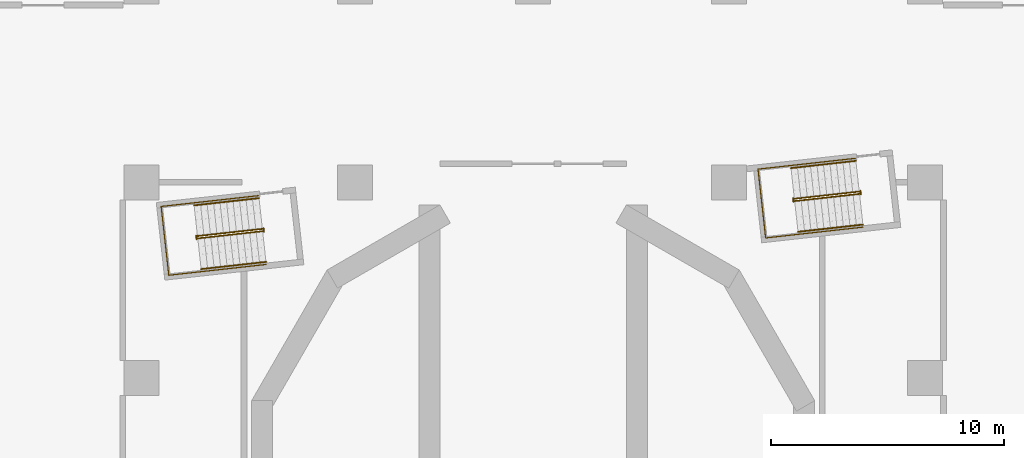
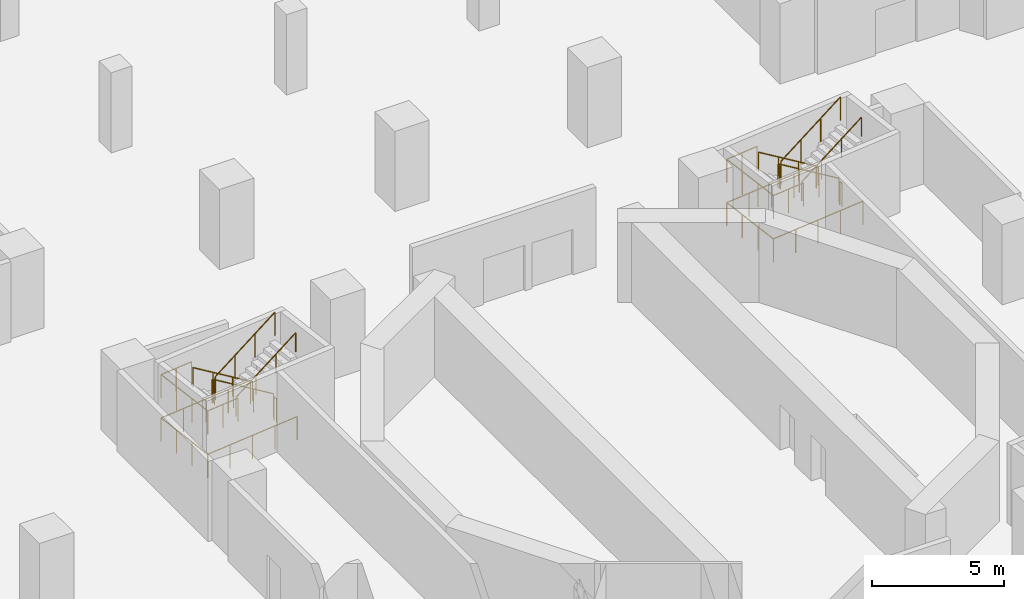
# One storey, part 15 of 18: 14 railings.
"""IFC4 building model written with IfcOpenShell, lengths in metres."""

from ifc_helpers import new_model, si_unit, direction, frame, origin, origin_2d, place, context, subcontext, project, spatial, circle, extrude, material, type_object, element, save


model = new_model("IFC4")

# Units and contexts
model_context = context("Model", 3, precision=1e-05, world=origin(), true_north=direction((0.0, 1.0)))
body_context = subcontext(model_context, "Body", "Model", "MODEL_VIEW")
ifc_project = project(units=[si_unit("LENGTHUNIT", "METRE"), si_unit("AREAUNIT", "SQUARE_METRE"), si_unit("VOLUMEUNIT", "CUBIC_METRE"), si_unit("PLANEANGLEUNIT", "RADIAN"), si_unit("MASSUNIT", "GRAM", prefix="KILO")], contexts=[model_context])

# Site, building, storey
site_placement = place(None, origin())
site = spatial("IfcSite", under=ifc_project, at=site_placement, CompositionType="ELEMENT")
building_placement = place(site_placement, origin())
building = spatial("IfcBuilding", under=site, at=building_placement, Name="Cantera Rosa Tower", CompositionType="ELEMENT")
storey_placement = place(building_placement, frame((0.0, 0.0, -9.0)))
storey = spatial("IfcBuildingStorey", under=building, at=storey_placement, Name="B2", CompositionType="ELEMENT", Elevation=-9.0)

# Railings
ifc_material_1 = material(Name="Steel S355J2 (EN 10025-2)", Category="steel")
railing_type_1 = type_object("IfcRailingType", Name="STAIR GUARD 1100", PredefinedType="GUARDRAIL", material=ifc_material_1)
railing_1_placement = place(storey_placement, frame((13.986083984375, 12.203125, 0.181884765625)))
element("IfcRailing", 1, at=railing_1_placement, inside=storey, type_object=railing_type_1, Name="B2 ST-11 stair guard 1", PredefinedType="GUARDRAIL", context=body_context, shape_type="SweptSolid", body=[
    extrude(circle(Radius=0.02392578125, at=origin_2d()), frame((0.0, 0.0, 1.076171875), z_axis=(-0.833588056777, -0.09250714026, 0.544585512661), x_axis=(0.110297547524, -0.993898612038, 0.0)), (0.0, 0.0, 1.0), 3.338623046875),
    extrude(circle(Radius=0.02392578125, at=origin_2d()), frame((-2.782958984375, -0.308837890625, 2.89404296875), z_axis=(-0.932897555956, 0.360141847183, 0.0), x_axis=(-0.360141847183, -0.932897555956, 0.0)), (0.0, 0.0, 1.0), 0.05615234375),
    extrude(circle(Radius=0.02392578125, at=origin_2d()), frame((-2.83544921875, -0.28857421875, 2.89404296875), z_axis=(0.110789159685, -0.993843932464, 0.0), x_axis=(0.993843932464, 0.110789159685, 0.0)), (0.0, 0.0, 1.0), 0.14990234375),
    extrude(circle(Radius=0.02099609375, at=origin_2d()), origin(), (0.0, 0.0, 1.0), 1.052001953125),
    extrude(circle(Radius=0.02099609375, at=origin_2d()), frame((-0.927734375, -0.10302734375, 0.60595703125)), (0.0, 0.0, 1.0), 1.052001953125),
    extrude(circle(Radius=0.02099609375, at=origin_2d()), frame((-1.855224609375, -0.205810546875, 1.212158203125)), (0.0, 0.0, 1.0), 1.052001953125),
    extrude(circle(Radius=0.02099609375, at=origin_2d()), frame((-2.782958984375, -0.308837890625, 1.818115234375)), (0.0, 0.0, 1.0), 1.052001953125),
    extrude(circle(Radius=0.02099609375, at=origin_2d()), frame((-2.83544921875, -0.28857421875, 1.818115234375)), (0.0, 0.0, 1.0), 1.052001953125),
    extrude(circle(Radius=0.02099609375, at=origin_2d()), frame((-2.81884765625, -0.4375, 1.818115234375)), (0.0, 0.0, 1.0), 1.052001953125),
])
railing_2_placement = place(storey_placement, frame((11.2138671875, 11.796875, 2.181884765625)))
element("IfcRailing", 2, at=railing_2_placement, inside=storey, type_object=railing_type_1, Name="B2 ST-11 stair guard 2", PredefinedType="GUARDRAIL", context=body_context, shape_type="SweptSolid", body=[
    extrude(circle(Radius=0.02392578125, at=origin_2d()), frame((0.0, 0.0, 1.076171875), z_axis=(0.833588056777, 0.09250714026, 0.544585512661), x_axis=(-0.110297547524, 0.993898612038, 0.0)), (0.0, 0.0, 1.0), 3.338623046875),
    extrude(circle(Radius=0.02099609375, at=origin_2d()), origin(), (0.0, 0.0, 1.0), 1.052001953125),
    extrude(circle(Radius=0.02099609375, at=origin_2d()), frame((0.927734375, 0.10302734375, 0.60595703125)), (0.0, 0.0, 1.0), 1.052001953125),
    extrude(circle(Radius=0.02099609375, at=origin_2d()), frame((1.855224609375, 0.205810546875, 1.212158203125)), (0.0, 0.0, 1.0), 1.052001953125),
    extrude(circle(Radius=0.02099609375, at=origin_2d()), frame((2.782958984375, 0.308837890625, 1.818115234375)), (0.0, 0.0, 1.0), 1.052001953125),
])
railing_3_placement = place(storey_placement, frame((14.032958984375, 12.234375, 0.0)))
element("IfcRailing", 3, at=railing_3_placement, inside=storey, type_object=railing_type_1, Name="B2 ST-11 stair guard 3", PredefinedType="GUARDRAIL", context=body_context, shape_type="SweptSolid", body=[
    extrude(circle(Radius=0.02392578125, at=origin_2d()), frame((0.0, 0.0, 1.076171875), z_axis=(0.109179471459, -0.994022053584, 0.0), x_axis=(0.994022053584, 0.109179471459, 0.0)), (0.0, 0.0, 1.0), 0.14990234375),
    extrude(circle(Radius=0.02099609375, at=origin_2d()), origin(), (0.0, 0.0, 1.0), 1.052001953125),
    extrude(circle(Radius=0.02099609375, at=origin_2d()), frame((0.016357421875, -0.14892578125, 0.0)), (0.0, 0.0, 1.0), 1.052001953125),
])
railing_4_placement = place(storey_placement, frame((13.815673828125, 13.629150390625, 0.0)))
element("IfcRailing", 4, at=railing_4_placement, inside=storey, type_object=railing_type_1, Name="B2 ST-11 stair guard 4", PredefinedType="GUARDRAIL", context=body_context, shape_type="SweptSolid", body=[
    extrude(circle(Radius=0.02392578125, at=origin_2d()), frame((0.0, 0.0, 1.076171875), z_axis=(-0.9938957856, -0.110323013767, 0.0), x_axis=(0.110323013767, -0.9938957856, 0.0)), (0.0, 0.0, 1.0), 4.197998046875),
    extrude(circle(Radius=0.02392578125, at=origin_2d()), frame((-4.17236328125, -0.463134765625, 1.076171875), z_axis=(0.110314237986, -0.993896759678, 0.0), x_axis=(0.993896759678, 0.110314237986, 0.0)), (0.0, 0.0, 1.0), 2.969970703125),
    extrude(circle(Radius=0.02392578125, at=origin_2d()), frame((-3.8447265625, -3.4150390625, 1.076171875), z_axis=(0.9938957856, 0.110323013767, 0.0), x_axis=(-0.110323013767, 0.9938957856, 0.0)), (0.0, 0.0, 1.0), 4.197998046875),
    extrude(circle(Radius=0.02099609375, at=origin_2d()), origin(), (0.0, 0.0, 1.0), 1.052001953125),
    extrude(circle(Radius=0.02099609375, at=origin_2d()), frame((-1.04296875, -0.11572265625, 0.0)), (0.0, 0.0, 1.0), 1.052001953125),
    extrude(circle(Radius=0.02099609375, at=origin_2d()), frame((-2.086181640625, -0.2314453125, 0.0)), (0.0, 0.0, 1.0), 1.052001953125),
    extrude(circle(Radius=0.02099609375, at=origin_2d()), frame((-3.12939453125, -0.347412109375, 0.0)), (0.0, 0.0, 1.0), 1.052001953125),
    extrude(circle(Radius=0.02099609375, at=origin_2d()), frame((-4.17236328125, -0.463134765625, 0.0)), (0.0, 0.0, 1.0), 1.052001953125),
    extrude(circle(Radius=0.02099609375, at=origin_2d()), frame((-4.063232421875, -1.447021484375, 0.0)), (0.0, 0.0, 1.0), 1.052001953125),
    extrude(circle(Radius=0.02099609375, at=origin_2d()), frame((-3.953857421875, -2.43115234375, 0.0)), (0.0, 0.0, 1.0), 1.052001953125),
    extrude(circle(Radius=0.02099609375, at=origin_2d()), frame((-3.8447265625, -3.4150390625, 0.0)), (0.0, 0.0, 1.0), 1.052001953125),
    extrude(circle(Radius=0.02099609375, at=origin_2d()), frame((-2.8017578125, -3.29931640625, 0.0)), (0.0, 0.0, 1.0), 1.052001953125),
    extrude(circle(Radius=0.02099609375, at=origin_2d()), frame((-1.758544921875, -3.18359375, 0.0)), (0.0, 0.0, 1.0), 1.052001953125),
    extrude(circle(Radius=0.02099609375, at=origin_2d()), frame((-0.71533203125, -3.067626953125, 0.0)), (0.0, 0.0, 1.0), 1.052001953125),
    extrude(circle(Radius=0.02099609375, at=origin_2d()), frame((0.32763671875, -2.951904296875, 0.0)), (0.0, 0.0, 1.0), 1.052001953125),
])
railing_5_placement = place(storey_placement, frame((11.056640625, 13.32275390625, 2.0)))
element("IfcRailing", 5, at=railing_5_placement, inside=storey, type_object=railing_type_1, Name="B2 ST-11 stair guard 5", PredefinedType="GUARDRAIL", context=body_context, shape_type="SweptSolid", body=[
    extrude(circle(Radius=0.02392578125, at=origin_2d()), frame((0.0, 0.0, 1.076171875), z_axis=(-0.993906744489, -0.110224240795, 0.0), x_axis=(0.110224240795, -0.993906744489, 0.0)), (0.0, 0.0, 1.0), 1.421875),
    extrude(circle(Radius=0.02392578125, at=origin_2d()), frame((-1.413330078125, -0.15673828125, 1.076171875), z_axis=(0.110314237986, -0.993896759678, 0.0), x_axis=(0.993896759678, 0.110314237986, 0.0)), (0.0, 0.0, 1.0), 2.969970703125),
    extrude(circle(Radius=0.02392578125, at=origin_2d()), frame((-1.085693359375, -3.108642578125, 1.076171875), z_axis=(0.993906744489, 0.110224240795, 0.0), x_axis=(-0.110224240795, 0.993906744489, 0.0)), (0.0, 0.0, 1.0), 1.421875),
    extrude(circle(Radius=0.02099609375, at=origin_2d()), origin(), (0.0, 0.0, 1.0), 1.052001953125),
    extrude(circle(Radius=0.02099609375, at=origin_2d()), frame((-0.70654296875, -0.078369140625, 0.0)), (0.0, 0.0, 1.0), 1.052001953125),
    extrude(circle(Radius=0.02099609375, at=origin_2d()), frame((-1.413330078125, -0.15673828125, 0.0)), (0.0, 0.0, 1.0), 1.052001953125),
    extrude(circle(Radius=0.02099609375, at=origin_2d()), frame((-1.30419921875, -1.140625, 0.0)), (0.0, 0.0, 1.0), 1.052001953125),
    extrude(circle(Radius=0.02099609375, at=origin_2d()), frame((-1.19482421875, -2.124755859375, 0.0)), (0.0, 0.0, 1.0), 1.052001953125),
    extrude(circle(Radius=0.02099609375, at=origin_2d()), frame((-1.085693359375, -3.108642578125, 0.0)), (0.0, 0.0, 1.0), 1.052001953125),
    extrude(circle(Radius=0.02099609375, at=origin_2d()), frame((-0.37890625, -3.0302734375, 0.0)), (0.0, 0.0, 1.0), 1.052001953125),
    extrude(circle(Radius=0.02099609375, at=origin_2d()), frame((0.32763671875, -2.951904296875, 0.0)), (0.0, 0.0, 1.0), 1.052001953125),
])
railing_6_placement = place(storey_placement, frame((-11.614013671875, 10.60302734375, 0.181884765625)))
element("IfcRailing", 6, at=railing_6_placement, inside=storey, type_object=railing_type_1, Name="B2 ST-12 stair guard 1", PredefinedType="GUARDRAIL", context=body_context, shape_type="SweptSolid", body=[
    extrude(circle(Radius=0.02392578125, at=origin_2d()), frame((0.0, 0.0, 1.076171875), z_axis=(-0.833588056777, -0.09250714026, 0.544585512661), x_axis=(0.110297547524, -0.993898612038, 0.0)), (0.0, 0.0, 1.0), 3.338623046875),
    extrude(circle(Radius=0.02392578125, at=origin_2d()), frame((-2.782958984375, -0.308837890625, 2.89404296875), z_axis=(-0.931434406233, 0.363909256389, 0.0), x_axis=(-0.363909256389, -0.931434406233, 0.0)), (0.0, 0.0, 1.0), 0.056396484375),
    extrude(circle(Radius=0.02392578125, at=origin_2d()), frame((-2.83544921875, -0.288330078125, 2.89404296875), z_axis=(0.110610055588, -0.993863881828, 0.0), x_axis=(0.993863881828, 0.110610055588, 0.0)), (0.0, 0.0, 1.0), 0.150146484375),
    extrude(circle(Radius=0.02099609375, at=origin_2d()), origin(), (0.0, 0.0, 1.0), 1.052001953125),
    extrude(circle(Radius=0.02099609375, at=origin_2d()), frame((-0.927734375, -0.10302734375, 0.60595703125)), (0.0, 0.0, 1.0), 1.052001953125),
    extrude(circle(Radius=0.02099609375, at=origin_2d()), frame((-1.855224609375, -0.205810546875, 1.212158203125)), (0.0, 0.0, 1.0), 1.052001953125),
    extrude(circle(Radius=0.02099609375, at=origin_2d()), frame((-2.782958984375, -0.308837890625, 1.818115234375)), (0.0, 0.0, 1.0), 1.052001953125),
    extrude(circle(Radius=0.02099609375, at=origin_2d()), frame((-2.83544921875, -0.288330078125, 1.818115234375)), (0.0, 0.0, 1.0), 1.052001953125),
    extrude(circle(Radius=0.02099609375, at=origin_2d()), frame((-2.81884765625, -0.4375, 1.818115234375)), (0.0, 0.0, 1.0), 1.052001953125),
])
railing_7_placement = place(storey_placement, frame((-14.385986328125, 10.19677734375, 2.181884765625)))
element("IfcRailing", 7, at=railing_7_placement, inside=storey, type_object=railing_type_1, Name="B2 ST-12 stair guard 2", PredefinedType="GUARDRAIL", context=body_context, shape_type="SweptSolid", body=[
    extrude(circle(Radius=0.02392578125, at=origin_2d()), frame((0.0, 0.0, 1.076171875), z_axis=(0.833588056777, 0.09250714026, 0.544585512661), x_axis=(-0.110297547524, 0.993898612038, 0.0)), (0.0, 0.0, 1.0), 3.338623046875),
    extrude(circle(Radius=0.02099609375, at=origin_2d()), origin(), (0.0, 0.0, 1.0), 1.052001953125),
    extrude(circle(Radius=0.02099609375, at=origin_2d()), frame((0.927734375, 0.10302734375, 0.60595703125)), (0.0, 0.0, 1.0), 1.052001953125),
    extrude(circle(Radius=0.02099609375, at=origin_2d()), frame((1.855224609375, 0.205810546875, 1.212158203125)), (0.0, 0.0, 1.0), 1.052001953125),
    extrude(circle(Radius=0.02099609375, at=origin_2d()), frame((2.782958984375, 0.308837890625, 1.818115234375)), (0.0, 0.0, 1.0), 1.052001953125),
])
railing_8_placement = place(storey_placement, frame((-11.567138671875, 10.634521484375, 0.0)))
element("IfcRailing", 8, at=railing_8_placement, inside=storey, type_object=railing_type_1, Name="B2 ST-12 stair guard 3", PredefinedType="GUARDRAIL", context=body_context, shape_type="SweptSolid", body=[
    extrude(circle(Radius=0.02392578125, at=origin_2d()), frame((0.0, 0.0, 1.076171875), z_axis=(0.110610055588, -0.993863881828, 0.0), x_axis=(0.993863881828, 0.110610055588, 0.0)), (0.0, 0.0, 1.0), 0.150146484375),
    extrude(circle(Radius=0.02099609375, at=origin_2d()), origin(), (0.0, 0.0, 1.0), 1.052001953125),
    extrude(circle(Radius=0.02099609375, at=origin_2d()), frame((0.0166015625, -0.149169921875, 0.0)), (0.0, 0.0, 1.0), 1.052001953125),
])
railing_9_placement = place(storey_placement, frame((-11.7841796875, 12.029052734375, 0.0)))
element("IfcRailing", 9, at=railing_9_placement, inside=storey, type_object=railing_type_1, Name="B2 ST-12 stair guard 4", PredefinedType="GUARDRAIL", context=body_context, shape_type="SweptSolid", body=[
    extrude(circle(Radius=0.02392578125, at=origin_2d()), frame((0.0, 0.0, 1.076171875), z_axis=(-0.9938957856, -0.110323013767, 0.0), x_axis=(0.110323013767, -0.9938957856, 0.0)), (0.0, 0.0, 1.0), 4.197998046875),
    extrude(circle(Radius=0.02392578125, at=origin_2d()), frame((-4.17236328125, -0.463134765625, 1.076171875), z_axis=(0.11023303584, -0.99390576908, 0.0), x_axis=(0.99390576908, 0.11023303584, 0.0)), (0.0, 0.0, 1.0), 2.969970703125),
    extrude(circle(Radius=0.02392578125, at=origin_2d()), frame((-3.844970703125, -3.4150390625, 1.076171875), z_axis=(0.993896493372, 0.11031663729, 0.0), x_axis=(-0.11031663729, 0.993896493372, 0.0)), (0.0, 0.0, 1.0), 4.1982421875),
    extrude(circle(Radius=0.02099609375, at=origin_2d()), origin(), (0.0, 0.0, 1.0), 1.052001953125),
    extrude(circle(Radius=0.02099609375, at=origin_2d()), frame((-1.04296875, -0.11572265625, 0.0)), (0.0, 0.0, 1.0), 1.052001953125),
    extrude(circle(Radius=0.02099609375, at=origin_2d()), frame((-2.086181640625, -0.2314453125, 0.0)), (0.0, 0.0, 1.0), 1.052001953125),
    extrude(circle(Radius=0.02099609375, at=origin_2d()), frame((-3.12939453125, -0.347412109375, 0.0)), (0.0, 0.0, 1.0), 1.052001953125),
    extrude(circle(Radius=0.02099609375, at=origin_2d()), frame((-4.17236328125, -0.463134765625, 0.0)), (0.0, 0.0, 1.0), 1.052001953125),
    extrude(circle(Radius=0.02099609375, at=origin_2d()), frame((-4.063232421875, -1.447021484375, 0.0)), (0.0, 0.0, 1.0), 1.052001953125),
    extrude(circle(Radius=0.02099609375, at=origin_2d()), frame((-3.9541015625, -2.43115234375, 0.0)), (0.0, 0.0, 1.0), 1.052001953125),
    extrude(circle(Radius=0.02099609375, at=origin_2d()), frame((-3.844970703125, -3.4150390625, 0.0)), (0.0, 0.0, 1.0), 1.052001953125),
    extrude(circle(Radius=0.02099609375, at=origin_2d()), frame((-2.8017578125, -3.29931640625, 0.0)), (0.0, 0.0, 1.0), 1.052001953125),
    extrude(circle(Radius=0.02099609375, at=origin_2d()), frame((-1.7587890625, -3.18359375, 0.0)), (0.0, 0.0, 1.0), 1.052001953125),
    extrude(circle(Radius=0.02099609375, at=origin_2d()), frame((-0.715576171875, -3.067626953125, 0.0)), (0.0, 0.0, 1.0), 1.052001953125),
    extrude(circle(Radius=0.02099609375, at=origin_2d()), frame((0.32763671875, -2.951904296875, 0.0)), (0.0, 0.0, 1.0), 1.052001953125),
])
railing_10_placement = place(storey_placement, frame((-14.54345703125, 11.722900390625, 2.0)))
element("IfcRailing", 10, at=railing_10_placement, inside=storey, type_object=railing_type_1, Name="B2 ST-12 stair guard 5", PredefinedType="GUARDRAIL", context=body_context, shape_type="SweptSolid", body=[
    extrude(circle(Radius=0.02392578125, at=origin_2d()), frame((0.0, 0.0, 1.076171875), z_axis=(-0.993885828579, -0.110412679298, 0.0), x_axis=(0.110412679298, -0.993885828579, 0.0)), (0.0, 0.0, 1.0), 1.421875),
    extrude(circle(Radius=0.02392578125, at=origin_2d()), frame((-1.4130859375, -0.156982421875, 1.076171875), z_axis=(0.11023303584, -0.99390576908, 0.0), x_axis=(0.99390576908, 0.11023303584, 0.0)), (0.0, 0.0, 1.0), 2.969970703125),
    extrude(circle(Radius=0.02392578125, at=origin_2d()), frame((-1.085693359375, -3.10888671875, 1.076171875), z_axis=(0.993887921413, 0.110393838913, 0.0), x_axis=(-0.110393838913, 0.993887921413, 0.0)), (0.0, 0.0, 1.0), 1.422119140625),
    extrude(circle(Radius=0.02099609375, at=origin_2d()), origin(), (0.0, 0.0, 1.0), 1.052001953125),
    extrude(circle(Radius=0.02099609375, at=origin_2d()), frame((-0.70654296875, -0.07861328125, 0.0)), (0.0, 0.0, 1.0), 1.052001953125),
    extrude(circle(Radius=0.02099609375, at=origin_2d()), frame((-1.4130859375, -0.156982421875, 0.0)), (0.0, 0.0, 1.0), 1.052001953125),
    extrude(circle(Radius=0.02099609375, at=origin_2d()), frame((-1.303955078125, -1.140869140625, 0.0)), (0.0, 0.0, 1.0), 1.052001953125),
    extrude(circle(Radius=0.02099609375, at=origin_2d()), frame((-1.19482421875, -2.125, 0.0)), (0.0, 0.0, 1.0), 1.052001953125),
    extrude(circle(Radius=0.02099609375, at=origin_2d()), frame((-1.085693359375, -3.10888671875, 0.0)), (0.0, 0.0, 1.0), 1.052001953125),
    extrude(circle(Radius=0.02099609375, at=origin_2d()), frame((-0.37890625, -3.0302734375, 0.0)), (0.0, 0.0, 1.0), 1.052001953125),
    extrude(circle(Radius=0.02099609375, at=origin_2d()), frame((0.32763671875, -2.951904296875, 0.0)), (0.0, 0.0, 1.0), 1.052001953125),
])
ifc_material_2 = material(Name="Steel S355J2 (EN 10025-2)", Category="steel")
railing_type_2 = type_object("IfcRailingType", Name="STAIR HANDRAIL 900", PredefinedType="HANDRAIL", material=ifc_material_2)
railing_11_placement = place(storey_placement, frame((13.83984375, 13.52099609375, 0.181884765625)))
element("IfcRailing", 11, at=railing_11_placement, inside=storey, type_object=railing_type_2, Name="B2 ST-11 stair handrail 1", PredefinedType="HANDRAIL", context=body_context, shape_type="SweptSolid", body=[
    extrude(circle(Radius=0.02392578125, at=origin_2d()), frame((0.0, 0.0, 0.8759765625), z_axis=(-0.833588056777, -0.09250714026, 0.544585512661), x_axis=(0.110297547524, -0.993898612038, 0.0)), (0.0, 0.0, 1.0), 3.338623046875),
    extrude(circle(Radius=0.02099609375, at=origin_2d()), origin(), (0.0, 0.0, 1.0), 0.851806640625),
    extrude(circle(Radius=0.02099609375, at=origin_2d()), frame((-0.927734375, -0.10302734375, 0.60595703125)), (0.0, 0.0, 1.0), 0.851806640625),
    extrude(circle(Radius=0.02099609375, at=origin_2d()), frame((-1.855224609375, -0.205810546875, 1.212158203125)), (0.0, 0.0, 1.0), 0.851806640625),
    extrude(circle(Radius=0.02099609375, at=origin_2d()), frame((-2.782958984375, -0.308837890625, 1.818115234375)), (0.0, 0.0, 1.0), 0.851806640625),
])
railing_12_placement = place(storey_placement, frame((11.360107421875, 10.47900390625, 2.181884765625)))
element("IfcRailing", 12, at=railing_12_placement, inside=storey, type_object=railing_type_2, Name="B2 ST-11 stair handrail 2", PredefinedType="HANDRAIL", context=body_context, shape_type="SweptSolid", body=[
    extrude(circle(Radius=0.02392578125, at=origin_2d()), frame((0.0, 0.0, 0.8759765625), z_axis=(0.833588056777, 0.09250714026, 0.544585512661), x_axis=(-0.110297547524, 0.993898612038, 0.0)), (0.0, 0.0, 1.0), 3.338623046875),
    extrude(circle(Radius=0.02099609375, at=origin_2d()), origin(), (0.0, 0.0, 1.0), 0.851806640625),
    extrude(circle(Radius=0.02099609375, at=origin_2d()), frame((0.927734375, 0.10302734375, 0.60595703125)), (0.0, 0.0, 1.0), 0.851806640625),
    extrude(circle(Radius=0.02099609375, at=origin_2d()), frame((1.855224609375, 0.205810546875, 1.212158203125)), (0.0, 0.0, 1.0), 0.851806640625),
    extrude(circle(Radius=0.02099609375, at=origin_2d()), frame((2.782958984375, 0.308837890625, 1.818115234375)), (0.0, 0.0, 1.0), 0.851806640625),
])
railing_13_placement = place(storey_placement, frame((-11.76025390625, 11.921142578125, 0.181884765625)))
element("IfcRailing", 13, at=railing_13_placement, inside=storey, type_object=railing_type_2, Name="B2 ST-12 stair handrail 1", PredefinedType="HANDRAIL", context=body_context, shape_type="SweptSolid", body=[
    extrude(circle(Radius=0.02392578125, at=origin_2d()), frame((0.0, 0.0, 0.8759765625), z_axis=(-0.833582415484, -0.092579641899, 0.544581827187), x_axis=(0.110383677283, -0.99388905004, 0.0)), (0.0, 0.0, 1.0), 3.338623046875),
    extrude(circle(Radius=0.02099609375, at=origin_2d()), origin(), (0.0, 0.0, 1.0), 0.851806640625),
    extrude(circle(Radius=0.02099609375, at=origin_2d()), frame((-0.927734375, -0.10302734375, 0.60595703125)), (0.0, 0.0, 1.0), 0.851806640625),
    extrude(circle(Radius=0.02099609375, at=origin_2d()), frame((-1.855224609375, -0.2060546875, 1.212158203125)), (0.0, 0.0, 1.0), 0.851806640625),
    extrude(circle(Radius=0.02099609375, at=origin_2d()), frame((-2.782958984375, -0.30908203125, 1.818115234375)), (0.0, 0.0, 1.0), 0.851806640625),
])
railing_14_placement = place(storey_placement, frame((-14.23974609375, 8.87890625, 2.181884765625)))
element("IfcRailing", 14, at=railing_14_placement, inside=storey, type_object=railing_type_2, Name="B2 ST-12 stair handrail 2", PredefinedType="HANDRAIL", context=body_context, shape_type="SweptSolid", body=[
    extrude(circle(Radius=0.02392578125, at=origin_2d()), frame((0.0, 0.0, 0.8759765625), z_axis=(0.833588056777, 0.09250714026, 0.544585512661), x_axis=(-0.110297547524, 0.993898612038, 0.0)), (0.0, 0.0, 1.0), 3.338623046875),
    extrude(circle(Radius=0.02099609375, at=origin_2d()), origin(), (0.0, 0.0, 1.0), 0.851806640625),
    extrude(circle(Radius=0.02099609375, at=origin_2d()), frame((0.927734375, 0.10302734375, 0.60595703125)), (0.0, 0.0, 1.0), 0.851806640625),
    extrude(circle(Radius=0.02099609375, at=origin_2d()), frame((1.855224609375, 0.205810546875, 1.212158203125)), (0.0, 0.0, 1.0), 0.851806640625),
    extrude(circle(Radius=0.02099609375, at=origin_2d()), frame((2.782958984375, 0.308837890625, 1.818115234375)), (0.0, 0.0, 1.0), 0.851806640625),
])

save(model, "model.ifc")
